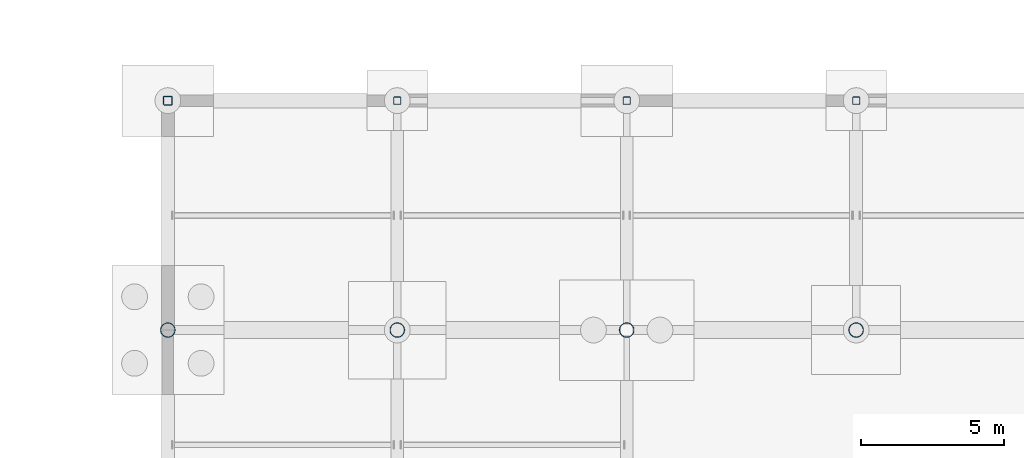
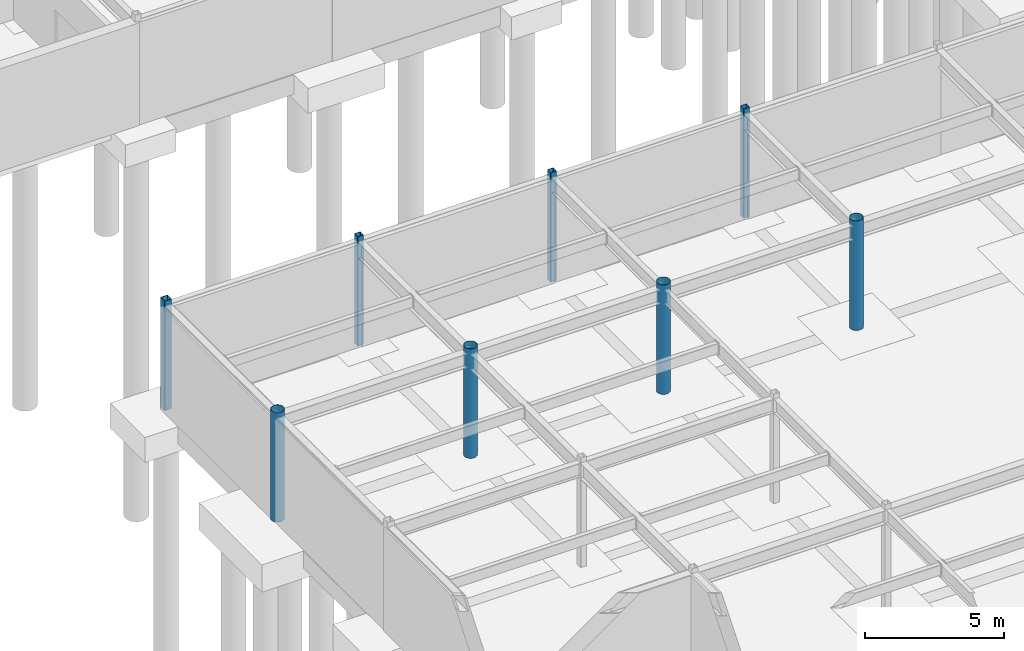
# One storey, part 16 of 105: 8 columns.
"""IFC4 building model written with IfcOpenShell, lengths in metres."""

from ifc_helpers import new_model, si_unit, direction, frame, origin, origin_2d, place, context, subcontext, project, spatial, hollow_rectangle, hollow_circle, extrude, material, material_profile, profile_set, type_object, element, save


model = new_model("IFC4")

# Units and contexts
model_context = context("Model", 3, precision=1e-05, world=origin(), true_north=direction((0.0, 1.0)))
body_context = subcontext(model_context, "Body", "Model", "MODEL_VIEW")
ifc_project = project(units=[si_unit("LENGTHUNIT", "METRE"), si_unit("AREAUNIT", "SQUARE_METRE"), si_unit("VOLUMEUNIT", "CUBIC_METRE"), si_unit("PLANEANGLEUNIT", "RADIAN"), si_unit("MASSUNIT", "GRAM", prefix="KILO")], contexts=[model_context])

# Site, building, storey
site_placement = place(None, origin())
site = spatial("IfcSite", under=ifc_project, at=site_placement, CompositionType="ELEMENT")
building_placement = place(site_placement, origin())
building = spatial("IfcBuilding", under=site, at=building_placement, Name="Solmirada Galleria", CompositionType="ELEMENT")
storey_placement = place(building_placement, frame((0.0, 0.0, -4.800048828125)))
storey = spatial("IfcBuildingStorey", under=building, at=storey_placement, Name="B1", CompositionType="ELEMENT", Elevation=-4.800048828125)

# Columns
ifc_material = material(Name="Steel S355 / ASTM A500 Grade C", Category="steel")
ifc_material_profile_1 = material_profile(ifc_material, hollow_circle(Radius=0.25390625, WallThickness=0.01171875, at=origin_2d()), Name="HSS20.000X0.500")
ifc_profile_set_1 = profile_set([ifc_material_profile_1], Name="Steel S355 / ASTM A500 Grade C")
column_type_1 = type_object("IfcColumnType", Name="COL-CHS20", PredefinedType="COLUMN", material=ifc_profile_set_1)
for number, where, z_axis, x_axis, name in (
    (1, (40.0, 32.0, 0.0), (0.0, 0.0, 1.0), (1.0, 0.0, 0.0), "Structural column B1-0029"),
    (2, (48.0, 32.0, 0.0), (0.0, 0.0, 1.0), (1.0, 0.0, 0.0), "Structural column B1-0092"),
    (3, (56.0, 32.0, 0.0), (0.0, 0.0, 1.0), (1.0, 0.0, 0.0), "Structural column B1-0159"),
    (4, (64.0, 32.0, 0.0), (0.0, 0.0, 1.0), (1.0, 0.0, 0.0), "Structural column B1-0223"),
):
    element("IfcColumn", number, at=place(storey_placement, frame(where, z_axis=z_axis, x_axis=x_axis)), inside=storey, type_object=column_type_1, Name=name, PredefinedType="COLUMN", context=body_context, shape_type="SweptSolid", body=[
        extrude(hollow_circle(Radius=0.25390625, WallThickness=0.01171875, at=origin_2d()), origin(), (0.0, 0.0, 1.0), 4.800048828125),
    ])
ifc_material_profile_2 = material_profile(ifc_material, hollow_rectangle(XDim=0.25390625, YDim=0.25390625, WallThickness=0.0087890625, InnerFilletRadius=0.0087890625, OuterFilletRadius=0.017822265625, at=origin_2d()), Name="HSS10X10X3/8")
ifc_profile_set_2 = profile_set([ifc_material_profile_2], Name="Steel S355 / ASTM A500 Grade C")
column_type_2 = type_object("IfcColumnType", Name="COL-HSS10", PredefinedType="COLUMN", material=ifc_profile_set_2)
for number, where, z_axis, x_axis, name in (
    (5, (48.0, 40.0, 0.0), (0.0, 0.0, 1.0), (1.0, 0.0, 0.0), "Structural column B1-0099"),
    (6, (56.0, 40.0, 0.0), (0.0, 0.0, 1.0), (1.0, 0.0, 0.0), "Structural column B1-0166"),
    (7, (64.0, 40.0, 0.0), (0.0, 0.0, 1.0), (1.0, 0.0, 0.0), "Structural column B1-0230"),
):
    element("IfcColumn", number, at=place(storey_placement, frame(where, z_axis=z_axis, x_axis=x_axis)), inside=storey, type_object=column_type_2, Name=name, PredefinedType="COLUMN", context=body_context, shape_type="SweptSolid", body=[
        extrude(hollow_rectangle(XDim=0.25390625, YDim=0.25390625, WallThickness=0.0087890625, InnerFilletRadius=0.0087890625, OuterFilletRadius=0.017822265625, at=origin_2d()), origin(), (0.0, 0.0, 1.0), 4.800048828125),
    ])
ifc_material_profile_3 = material_profile(ifc_material, hollow_rectangle(XDim=0.304931640625, YDim=0.304931640625, WallThickness=0.01171875, InnerFilletRadius=0.01171875, OuterFilletRadius=0.023681640625, at=origin_2d()), Name="HSS12X12X1/2")
ifc_profile_set_3 = profile_set([ifc_material_profile_3], Name="Steel S355 / ASTM A500 Grade C")
column_type_3 = type_object("IfcColumnType", Name="COL-HSS12", PredefinedType="COLUMN", material=ifc_profile_set_3)
column_placement = place(storey_placement, frame((40.0, 40.0, 0.0), z_axis=(0.0, 0.0, 1.0), x_axis=(1.0, 0.0, 0.0)))
element("IfcColumn", 8, at=column_placement, inside=storey, type_object=column_type_3, Name="Structural column B1-0036", PredefinedType="COLUMN", context=body_context, shape_type="SweptSolid", body=[
    extrude(hollow_rectangle(XDim=0.304931640625, YDim=0.304931640625, WallThickness=0.01171875, InnerFilletRadius=0.01171875, OuterFilletRadius=0.023681640625, at=origin_2d()), origin(), (0.0, 0.0, 1.0), 4.800048828125),
])

save(model, "model.ifc")
